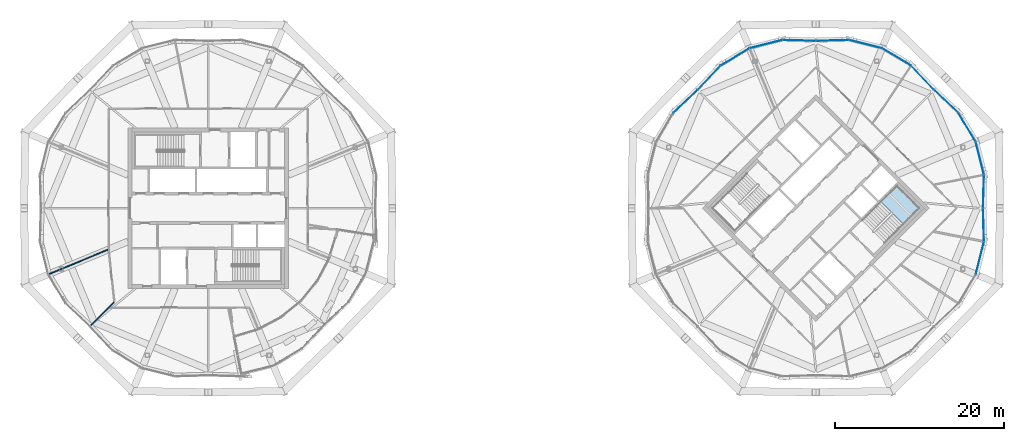
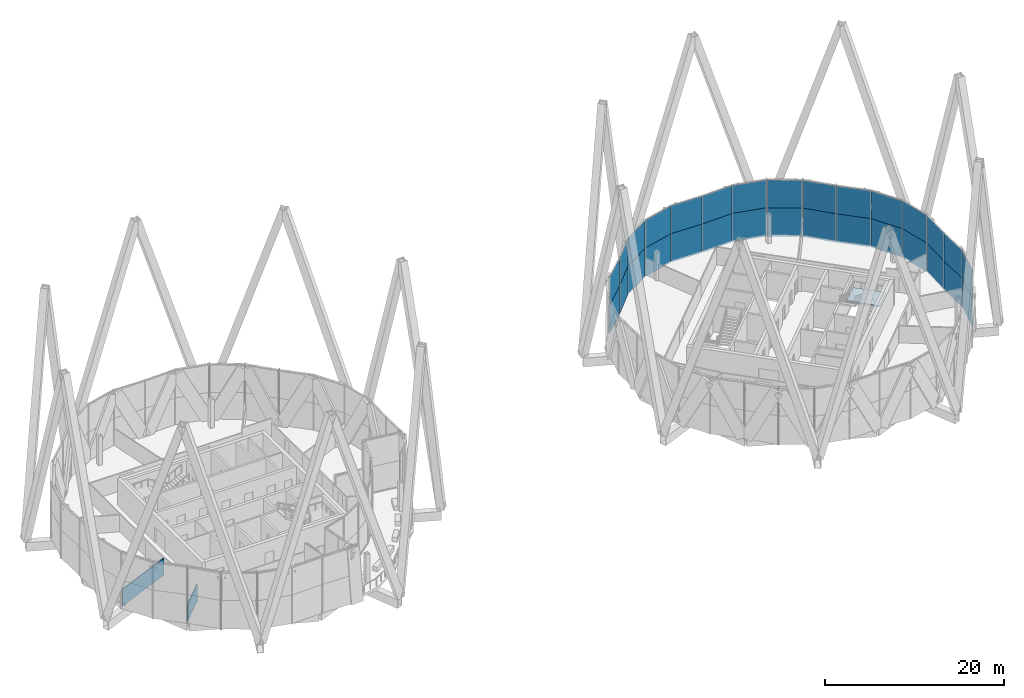
# One storey, part 44 of 53: 30 plates, 2 walls, 1 slab, 6 elements without a shape of their own.
"""IFC4 building model written with IfcOpenShell, lengths in metres."""

from ifc_helpers import new_model, si_unit, direction, frame, frame_2d, origin, origin_2d, place, context, subcontext, project, spatial, polyline, rectangle, outline, extrude, material, layer, layer_set, type_object, element, aggregate, save


model = new_model("IFC4")

# Units and contexts
model_context = context("Model", 3, precision=1e-05, world=origin(), true_north=direction((0.0, 1.0)))
body_context = subcontext(model_context, "Body", "Model", "MODEL_VIEW")
ifc_project = project(units=[si_unit("LENGTHUNIT", "METRE"), si_unit("AREAUNIT", "SQUARE_METRE"), si_unit("VOLUMEUNIT", "CUBIC_METRE"), si_unit("PLANEANGLEUNIT", "RADIAN"), si_unit("MASSUNIT", "GRAM", prefix="KILO")], contexts=[model_context])

# Site, building, storey
site_placement = place(None, origin())
site = spatial("IfcSite", under=ifc_project, at=site_placement, CompositionType="ELEMENT")
building_placement = place(site_placement, origin())
building = spatial("IfcBuilding", under=site, at=building_placement, Name="Ogive Gate Towers", CompositionType="ELEMENT")
storey_placement = place(building_placement, frame((0.0, 0.0, 240.60009765625)))
storey = spatial("IfcBuildingStorey", under=building, at=storey_placement, Name="L57", CompositionType="ELEMENT", Elevation=240.60009765625)

# Stair, slab
ifc_material_1 = material(Name="Concrete C40/50", Category="concrete")
stair_type = type_object("IfcStairType", Name="Escape stair 1840 wide", PredefinedType="HALF_TURN_STAIR", material=ifc_material_1)
stair_placement = place(storey_placement, origin())
stair = element("IfcStair", 1, at=stair_placement, inside=storey, type_object=stair_type, Name="L57 Escape stair 2", PredefinedType="HALF_TURN_STAIR")
ifc_layer_1 = layer(ifc_material_1, 0.199951171875)
ifc_layer_set_1 = layer_set([ifc_layer_1], Name="Stair landing 200 mm")
slab_type = type_object("IfcSlabType", Name="Stair landing 200 mm", PredefinedType="LANDING", material=ifc_layer_set_1)
slab_placement = place(storey_placement, frame((0.0, 0.0, 1.75)))
slab = element("IfcSlab", 2, at=slab_placement, type_object=slab_type, Name="ST2 landing 1", PredefinedType="LANDING", context=body_context, shape_type="SweptSolid", body=[
    extrude(outline(polyline([(46.3955078125, -1.908203125), (48.3037109375, 0.0), (45.598876953125, 2.70458984375), (43.690673828125, 0.79638671875), (46.3955078125, -1.908203125)])), origin(), (0.0, 0.0, 1.0), 0.199951171875),
])
aggregate(stair, [slab])

# Curtain wall, plates
ifc_material_2 = material(Name="Pale metal aluminium", Category="aluminium")
curtain_wall_type = type_object("IfcCurtainWallType", Name="Tower unitised wall, high zone", PredefinedType="NOTDEFINED", material=ifc_material_2)
curtain_wall_1_placement = place(storey_placement, origin())
curtain_wall_1 = element("IfcCurtainWall", 3, at=curtain_wall_1_placement, inside=storey, type_object=curtain_wall_type, Name="CW2 T2 ECW01", PredefinedType="NOTDEFINED")
ifc_material_3 = material(Name="Clear glass", Category="glass")
ifc_layer_2 = layer(ifc_material_3, 0.028076171875)
ifc_layer_set_2 = layer_set([ifc_layer_2], Name="Tower unitised wall, high zone glass panel")
plate_type = type_object("IfcPlateType", Name="Tower unitised wall, high zone glass panel", PredefinedType="CURTAIN_PANEL", material=ifc_layer_set_2)
plate_1_placement = place(storey_placement, frame((55.865966796875, 1.974853515625, -0.300048828125), z_axis=(0.0, 0.0, 1.0), x_axis=(0.028322905681, 0.999598826037, 0.0)))
plate_1 = element("IfcPlate", 4, at=plate_1_placement, type_object=plate_type, Name="CW2 glass panel", PredefinedType="CURTAIN_PANEL", context=body_context, shape_type="SweptSolid", body=[
    extrude(rectangle(XDim=3.8974609375, YDim=0.028076171875, at=origin_2d()), origin(), (0.0, 0.0, 1.0), 3.89990234375),
])
plate_2_placement = place(storey_placement, frame((55.865966796875, 1.974853515625, 3.60009765625), z_axis=(0.0, 0.0, 1.0), x_axis=(0.028322905681, 0.999598826037, 0.0)))
plate_2 = element("IfcPlate", 5, at=plate_2_placement, type_object=plate_type, Name="CW2 glass panel", PredefinedType="CURTAIN_PANEL", context=body_context, shape_type="SweptSolid", body=[
    extrude(rectangle(XDim=3.8974609375, YDim=0.028076171875, at=origin_2d()), origin(), (0.0, 0.0, 1.0), 3.803955078125),
])
plate_3_placement = place(storey_placement, frame((55.435791015625, 5.9013671875, -0.300048828125), z_axis=(0.0, 0.0, 1.0), x_axis=(-0.242142042488, 0.970240810964, 0.0)))
plate_3 = element("IfcPlate", 6, at=plate_3_placement, type_object=plate_type, Name="CW2 glass panel", PredefinedType="CURTAIN_PANEL", context=body_context, shape_type="SweptSolid", body=[
    extrude(rectangle(XDim=3.953125, YDim=0.028076171875, at=origin_2d()), origin(), (0.0, 0.0, 1.0), 3.89990234375),
])
plate_4_placement = place(storey_placement, frame((55.435791015625, 5.9013671875, 3.60009765625), z_axis=(0.0, 0.0, 1.0), x_axis=(-0.242142042488, 0.970240810964, 0.0)))
plate_4 = element("IfcPlate", 7, at=plate_4_placement, type_object=plate_type, Name="CW2 glass panel", PredefinedType="CURTAIN_PANEL", context=body_context, shape_type="SweptSolid", body=[
    extrude(rectangle(XDim=3.953125, YDim=0.028076171875, at=origin_2d()), origin(), (0.0, 0.0, 1.0), 3.803955078125),
])
plate_5_placement = place(storey_placement, frame((53.916259765625, 9.5703125, -0.300048828125), z_axis=(0.0, 0.0, 1.0), x_axis=(-0.514843576563, 0.85728413707, 0.0)))
plate_5 = element("IfcPlate", 8, at=plate_5_placement, type_object=plate_type, Name="CW2 glass panel", PredefinedType="CURTAIN_PANEL", context=body_context, shape_type="SweptSolid", body=[
    extrude(rectangle(XDim=3.952880859375, YDim=0.028076171875, at=origin_2d()), origin(), (0.0, 0.0, 1.0), 3.89990234375),
])
plate_6_placement = place(storey_placement, frame((53.916259765625, 9.5703125, 3.60009765625), z_axis=(0.0, 0.0, 1.0), x_axis=(-0.514843576563, 0.85728413707, 0.0)))
plate_6 = element("IfcPlate", 9, at=plate_6_placement, type_object=plate_type, Name="CW2 glass panel", PredefinedType="CURTAIN_PANEL", context=body_context, shape_type="SweptSolid", body=[
    extrude(rectangle(XDim=3.952880859375, YDim=0.028076171875, at=origin_2d()), origin(), (0.0, 0.0, 1.0), 3.803955078125),
])
plate_7_placement = place(storey_placement, frame((51.44384765625, 12.65087890625, -0.300048828125), z_axis=(0.0, 0.0, 1.0), x_axis=(-0.726850427027, 0.686795789687, 0.0)))
plate_7 = element("IfcPlate", 10, at=plate_7_placement, type_object=plate_type, Name="CW2 glass panel", PredefinedType="CURTAIN_PANEL", context=body_context, shape_type="SweptSolid", body=[
    extrude(rectangle(XDim=3.8974609375, YDim=0.028076171875, at=origin_2d()), origin(), (0.0, 0.0, 1.0), 3.89990234375),
])
plate_8_placement = place(storey_placement, frame((51.44384765625, 12.65087890625, 3.60009765625), z_axis=(0.0, 0.0, 1.0), x_axis=(-0.726850427027, 0.686795789687, 0.0)))
plate_8 = element("IfcPlate", 11, at=plate_8_placement, type_object=plate_type, Name="CW2 glass panel", PredefinedType="CURTAIN_PANEL", context=body_context, shape_type="SweptSolid", body=[
    extrude(rectangle(XDim=3.8974609375, YDim=0.028076171875, at=origin_2d()), origin(), (0.0, 0.0, 1.0), 3.803955078125),
])
aggregate(curtain_wall_1, [plate_1, plate_2, plate_3, plate_4, plate_5, plate_6, plate_7, plate_8])

curtain_wall_2_placement = place(storey_placement, origin())
curtain_wall_2 = element("IfcCurtainWall", 12, at=curtain_wall_2_placement, inside=storey, type_object=curtain_wall_type, Name="CW2 T2 ECW02", PredefinedType="NOTDEFINED")
plate_9_placement = place(storey_placement, frame((48.65087890625, 15.44384765625, -0.300048828125), z_axis=(0.0, 0.0, 1.0), x_axis=(-0.686795789687, 0.726850427027, 0.0)))
plate_9 = element("IfcPlate", 13, at=plate_9_placement, type_object=plate_type, Name="CW2 glass panel", PredefinedType="CURTAIN_PANEL", context=body_context, shape_type="SweptSolid", body=[
    extrude(rectangle(XDim=3.8974609375, YDim=0.028076171875, at=origin_2d()), origin(), (0.0, 0.0, 1.0), 3.89990234375),
])
plate_10_placement = place(storey_placement, frame((48.65087890625, 15.44384765625, 3.60009765625), z_axis=(0.0, 0.0, 1.0), x_axis=(-0.686795789687, 0.726850427027, 0.0)))
plate_10 = element("IfcPlate", 14, at=plate_10_placement, type_object=plate_type, Name="CW2 glass panel", PredefinedType="CURTAIN_PANEL", context=body_context, shape_type="SweptSolid", body=[
    extrude(rectangle(XDim=3.8974609375, YDim=0.028076171875, at=origin_2d()), origin(), (0.0, 0.0, 1.0), 3.803955078125),
])
plate_11_placement = place(storey_placement, frame((45.5703125, 17.916259765625, -0.300048828125), z_axis=(0.0, 0.0, 1.0), x_axis=(-0.85728413707, 0.514843576563, 0.0)))
plate_11 = element("IfcPlate", 15, at=plate_11_placement, type_object=plate_type, Name="CW2 glass panel", PredefinedType="CURTAIN_PANEL", context=body_context, shape_type="SweptSolid", body=[
    extrude(rectangle(XDim=3.952880859375, YDim=0.028076171875, at=origin_2d()), origin(), (0.0, 0.0, 1.0), 3.89990234375),
])
plate_12_placement = place(storey_placement, frame((45.5703125, 17.916259765625, 3.60009765625), z_axis=(0.0, 0.0, 1.0), x_axis=(-0.85728413707, 0.514843576563, 0.0)))
plate_12 = element("IfcPlate", 16, at=plate_12_placement, type_object=plate_type, Name="CW2 glass panel", PredefinedType="CURTAIN_PANEL", context=body_context, shape_type="SweptSolid", body=[
    extrude(rectangle(XDim=3.952880859375, YDim=0.028076171875, at=origin_2d()), origin(), (0.0, 0.0, 1.0), 3.803955078125),
])
plate_13_placement = place(storey_placement, frame((41.9013671875, 19.435791015625, -0.300048828125), z_axis=(0.0, 0.0, 1.0), x_axis=(-0.970240810964, 0.242142042488, 0.0)))
plate_13 = element("IfcPlate", 17, at=plate_13_placement, type_object=plate_type, Name="CW2 glass panel", PredefinedType="CURTAIN_PANEL", context=body_context, shape_type="SweptSolid", body=[
    extrude(rectangle(XDim=3.953125, YDim=0.028076171875, at=origin_2d()), origin(), (0.0, 0.0, 1.0), 3.89990234375),
])
plate_14_placement = place(storey_placement, frame((41.9013671875, 19.435791015625, 3.60009765625), z_axis=(0.0, 0.0, 1.0), x_axis=(-0.970240810964, 0.242142042488, 0.0)))
plate_14 = element("IfcPlate", 18, at=plate_14_placement, type_object=plate_type, Name="CW2 glass panel", PredefinedType="CURTAIN_PANEL", context=body_context, shape_type="SweptSolid", body=[
    extrude(rectangle(XDim=3.953125, YDim=0.028076171875, at=origin_2d()), origin(), (0.0, 0.0, 1.0), 3.803955078125),
])
plate_15_placement = place(storey_placement, frame((37.974853515625, 19.865966796875, -0.300048828125), z_axis=(0.0, 0.0, 1.0), x_axis=(-0.999598826037, -0.028322905681, 0.0)))
plate_15 = element("IfcPlate", 19, at=plate_15_placement, type_object=plate_type, Name="CW2 glass panel", PredefinedType="CURTAIN_PANEL", context=body_context, shape_type="SweptSolid", body=[
    extrude(rectangle(XDim=3.8974609375, YDim=0.028076171875, at=origin_2d()), origin(), (0.0, 0.0, 1.0), 3.89990234375),
])
plate_16_placement = place(storey_placement, frame((37.974853515625, 19.865966796875, 3.60009765625), z_axis=(0.0, 0.0, 1.0), x_axis=(-0.999598826037, -0.028322905681, 0.0)))
plate_16 = element("IfcPlate", 20, at=plate_16_placement, type_object=plate_type, Name="CW2 glass panel", PredefinedType="CURTAIN_PANEL", context=body_context, shape_type="SweptSolid", body=[
    extrude(rectangle(XDim=3.8974609375, YDim=0.028076171875, at=origin_2d()), origin(), (0.0, 0.0, 1.0), 3.803955078125),
])
aggregate(curtain_wall_2, [plate_9, plate_10, plate_11, plate_12, plate_13, plate_14, plate_15, plate_16])

curtain_wall_3_placement = place(storey_placement, origin())
curtain_wall_3 = element("IfcCurtainWall", 21, at=curtain_wall_3_placement, inside=storey, type_object=curtain_wall_type, Name="CW2 T2 ECW03", PredefinedType="NOTDEFINED")
plate_17_placement = place(storey_placement, frame((34.025146484375, 19.865966796875, -0.300048828125), z_axis=(0.0, 0.0, 1.0), x_axis=(-0.999598826037, 0.028322905681, 0.0)))
plate_17 = element("IfcPlate", 22, at=plate_17_placement, type_object=plate_type, Name="CW2 glass panel", PredefinedType="CURTAIN_PANEL", context=body_context, shape_type="SweptSolid", body=[
    extrude(rectangle(XDim=3.8974609375, YDim=0.028076171875, at=origin_2d()), origin(), (0.0, 0.0, 1.0), 3.89990234375),
])
plate_18_placement = place(storey_placement, frame((34.025146484375, 19.865966796875, 3.60009765625), z_axis=(0.0, 0.0, 1.0), x_axis=(-0.999598826037, 0.028322905681, 0.0)))
plate_18 = element("IfcPlate", 23, at=plate_18_placement, type_object=plate_type, Name="CW2 glass panel", PredefinedType="CURTAIN_PANEL", context=body_context, shape_type="SweptSolid", body=[
    extrude(rectangle(XDim=3.8974609375, YDim=0.028076171875, at=origin_2d()), origin(), (0.0, 0.0, 1.0), 3.803955078125),
])
plate_19_placement = place(storey_placement, frame((30.0986328125, 19.435791015625, -0.300048828125), z_axis=(0.0, 0.0, 1.0), x_axis=(-0.970240810964, -0.242142042488, 0.0)))
plate_19 = element("IfcPlate", 24, at=plate_19_placement, type_object=plate_type, Name="CW2 glass panel", PredefinedType="CURTAIN_PANEL", context=body_context, shape_type="SweptSolid", body=[
    extrude(rectangle(XDim=3.953125, YDim=0.028076171875, at=origin_2d()), origin(), (0.0, 0.0, 1.0), 3.89990234375),
])
plate_20_placement = place(storey_placement, frame((30.0986328125, 19.435791015625, 3.60009765625), z_axis=(0.0, 0.0, 1.0), x_axis=(-0.970240810964, -0.242142042488, 0.0)))
plate_20 = element("IfcPlate", 25, at=plate_20_placement, type_object=plate_type, Name="CW2 glass panel", PredefinedType="CURTAIN_PANEL", context=body_context, shape_type="SweptSolid", body=[
    extrude(rectangle(XDim=3.953125, YDim=0.028076171875, at=origin_2d()), origin(), (0.0, 0.0, 1.0), 3.803955078125),
])
plate_21_placement = place(storey_placement, frame((26.4296875, 17.916259765625, -0.300048828125), z_axis=(0.0, 0.0, 1.0), x_axis=(-0.85728413707, -0.514843576563, 0.0)))
plate_21 = element("IfcPlate", 26, at=plate_21_placement, type_object=plate_type, Name="CW2 glass panel", PredefinedType="CURTAIN_PANEL", context=body_context, shape_type="SweptSolid", body=[
    extrude(rectangle(XDim=3.952880859375, YDim=0.028076171875, at=origin_2d()), origin(), (0.0, 0.0, 1.0), 3.89990234375),
])
plate_22_placement = place(storey_placement, frame((26.4296875, 17.916259765625, 3.60009765625), z_axis=(0.0, 0.0, 1.0), x_axis=(-0.85728413707, -0.514843576563, 0.0)))
plate_22 = element("IfcPlate", 27, at=plate_22_placement, type_object=plate_type, Name="CW2 glass panel", PredefinedType="CURTAIN_PANEL", context=body_context, shape_type="SweptSolid", body=[
    extrude(rectangle(XDim=3.952880859375, YDim=0.028076171875, at=origin_2d()), origin(), (0.0, 0.0, 1.0), 3.803955078125),
])
plate_23_placement = place(storey_placement, frame((23.34912109375, 15.44384765625, -0.300048828125), z_axis=(0.0, 0.0, 1.0), x_axis=(-0.686795789687, -0.726850427027, 0.0)))
plate_23 = element("IfcPlate", 28, at=plate_23_placement, type_object=plate_type, Name="CW2 glass panel", PredefinedType="CURTAIN_PANEL", context=body_context, shape_type="SweptSolid", body=[
    extrude(rectangle(XDim=3.8974609375, YDim=0.028076171875, at=origin_2d()), origin(), (0.0, 0.0, 1.0), 3.89990234375),
])
plate_24_placement = place(storey_placement, frame((23.34912109375, 15.44384765625, 3.60009765625), z_axis=(0.0, 0.0, 1.0), x_axis=(-0.686795789687, -0.726850427027, 0.0)))
plate_24 = element("IfcPlate", 29, at=plate_24_placement, type_object=plate_type, Name="CW2 glass panel", PredefinedType="CURTAIN_PANEL", context=body_context, shape_type="SweptSolid", body=[
    extrude(rectangle(XDim=3.8974609375, YDim=0.028076171875, at=origin_2d()), origin(), (0.0, 0.0, 1.0), 3.803955078125),
])
aggregate(curtain_wall_3, [plate_17, plate_18, plate_19, plate_20, plate_21, plate_22, plate_23, plate_24])

curtain_wall_4_placement = place(storey_placement, origin())
curtain_wall_4 = element("IfcCurtainWall", 30, at=curtain_wall_4_placement, inside=storey, type_object=curtain_wall_type, Name="CW2 T2 ECW04", PredefinedType="NOTDEFINED")
plate_25_placement = place(storey_placement, frame((20.55615234375, 12.65087890625, -0.300048828125), z_axis=(0.0, 0.0, 1.0), x_axis=(-0.726850427027, -0.686795789687, 0.0)))
plate_25 = element("IfcPlate", 31, at=plate_25_placement, type_object=plate_type, Name="CW2 glass panel", PredefinedType="CURTAIN_PANEL", context=body_context, shape_type="SweptSolid", body=[
    extrude(rectangle(XDim=3.8974609375, YDim=0.028076171875, at=origin_2d()), origin(), (0.0, 0.0, 1.0), 3.89990234375),
])
plate_26_placement = place(storey_placement, frame((20.55615234375, 12.65087890625, 3.60009765625), z_axis=(0.0, 0.0, 1.0), x_axis=(-0.726850427027, -0.686795789687, 0.0)))
plate_26 = element("IfcPlate", 32, at=plate_26_placement, type_object=plate_type, Name="CW2 glass panel", PredefinedType="CURTAIN_PANEL", context=body_context, shape_type="SweptSolid", body=[
    extrude(rectangle(XDim=3.8974609375, YDim=0.028076171875, at=origin_2d()), origin(), (0.0, 0.0, 1.0), 3.803955078125),
])
aggregate(curtain_wall_4, [plate_25, plate_26])

curtain_wall_5_placement = place(storey_placement, origin())
curtain_wall_5 = element("IfcCurtainWall", 33, at=curtain_wall_5_placement, inside=storey, type_object=curtain_wall_type, Name="CW2 T2 ECW08", PredefinedType="NOTDEFINED")
plate_27_placement = place(storey_placement, frame((55.435791015625, -5.9013671875, -0.300048828125), z_axis=(0.0, 0.0, 1.0), x_axis=(0.242142042488, 0.970240810964, 0.0)))
plate_27 = element("IfcPlate", 34, at=plate_27_placement, type_object=plate_type, Name="CW2 glass panel", PredefinedType="CURTAIN_PANEL", context=body_context, shape_type="SweptSolid", body=[
    extrude(rectangle(XDim=3.953125, YDim=0.028076171875, at=origin_2d()), origin(), (0.0, 0.0, 1.0), 3.89990234375),
])
plate_28_placement = place(storey_placement, frame((55.435791015625, -5.9013671875, 3.60009765625), z_axis=(0.0, 0.0, 1.0), x_axis=(0.242142042488, 0.970240810964, 0.0)))
plate_28 = element("IfcPlate", 35, at=plate_28_placement, type_object=plate_type, Name="CW2 glass panel", PredefinedType="CURTAIN_PANEL", context=body_context, shape_type="SweptSolid", body=[
    extrude(rectangle(XDim=3.953125, YDim=0.028076171875, at=origin_2d()), origin(), (0.0, 0.0, 1.0), 3.803955078125),
])
plate_29_placement = place(storey_placement, frame((55.865966796875, -1.974853515625, -0.300048828125), z_axis=(0.0, 0.0, 1.0), x_axis=(-0.028322905681, 0.999598826037, 0.0)))
plate_29 = element("IfcPlate", 36, at=plate_29_placement, type_object=plate_type, Name="CW2 glass panel", PredefinedType="CURTAIN_PANEL", context=body_context, shape_type="SweptSolid", body=[
    extrude(rectangle(XDim=3.8974609375, YDim=0.028076171875, at=origin_2d()), origin(), (0.0, 0.0, 1.0), 3.89990234375),
])
plate_30_placement = place(storey_placement, frame((55.865966796875, -1.974853515625, 3.60009765625), z_axis=(0.0, 0.0, 1.0), x_axis=(-0.028322905681, 0.999598826037, 0.0)))
plate_30 = element("IfcPlate", 37, at=plate_30_placement, type_object=plate_type, Name="CW2 glass panel", PredefinedType="CURTAIN_PANEL", context=body_context, shape_type="SweptSolid", body=[
    extrude(rectangle(XDim=3.8974609375, YDim=0.028076171875, at=origin_2d()), origin(), (0.0, 0.0, 1.0), 3.803955078125),
])
aggregate(curtain_wall_5, [plate_27, plate_28, plate_29, plate_30])

# Walls
ifc_material_4 = material(Name="Gypsum board partition")
ifc_layer_3 = layer(ifc_material_4, 0.125)
ifc_layer_set_3 = layer_set([ifc_layer_3], Name="Partition 125")
wall_type = type_object("IfcWallType", Name="Partition 125", PredefinedType="PARTITIONING", material=ifc_layer_set_3)
wall_1_placement = place(storey_placement, frame((-54.8564453125, -7.810546875, 0.0), z_axis=(0.0, 0.0, 1.0), x_axis=(0.923878587447, 0.382685713945, 0.0)))
element("IfcWall", 38, at=wall_1_placement, inside=storey, type_object=wall_type, Name="Partition T1-L57-005", PredefinedType="PARTITIONING", context=body_context, shape_type="SweptSolid", body=[
    extrude(rectangle(XDim=7.576416015625, YDim=0.125, at=frame_2d((3.7880859375, 0.0))), origin(), (0.0, 0.0, 1.0), 2.2998046875),
])
wall_2_placement = place(storey_placement, frame((-49.936279296875, -13.936279296875, 0.0), z_axis=(0.0, 0.0, 1.0), x_axis=(0.707106781187, 0.707106781187, 0.0)))
element("IfcWall", 39, at=wall_2_placement, inside=storey, type_object=wall_type, Name="Partition T1-L57-006", PredefinedType="PARTITIONING", context=body_context, shape_type="SweptSolid", body=[
    extrude(rectangle(XDim=3.92626953125, YDim=0.125, at=frame_2d((1.963134765625, 0.0))), origin(), (0.0, 0.0, 1.0), 2.2998046875),
])

save(model, "model.ifc")
